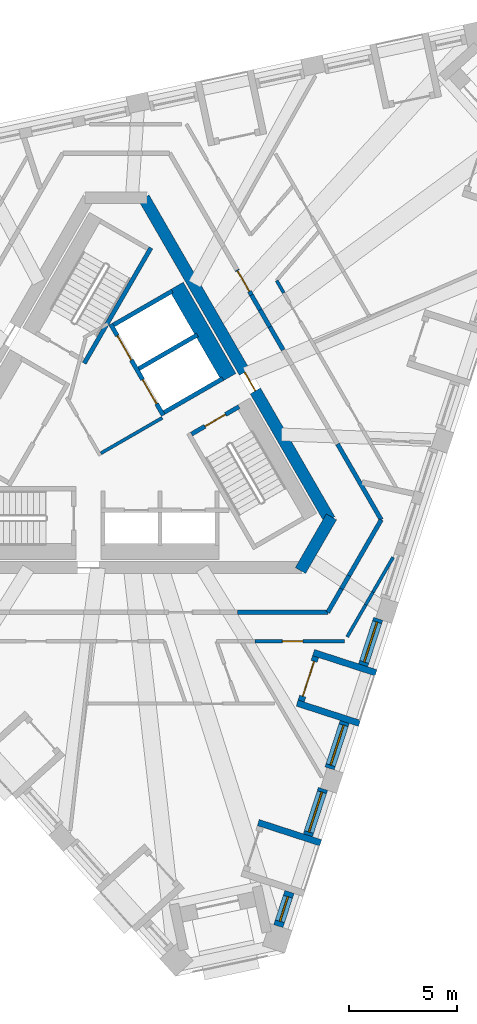
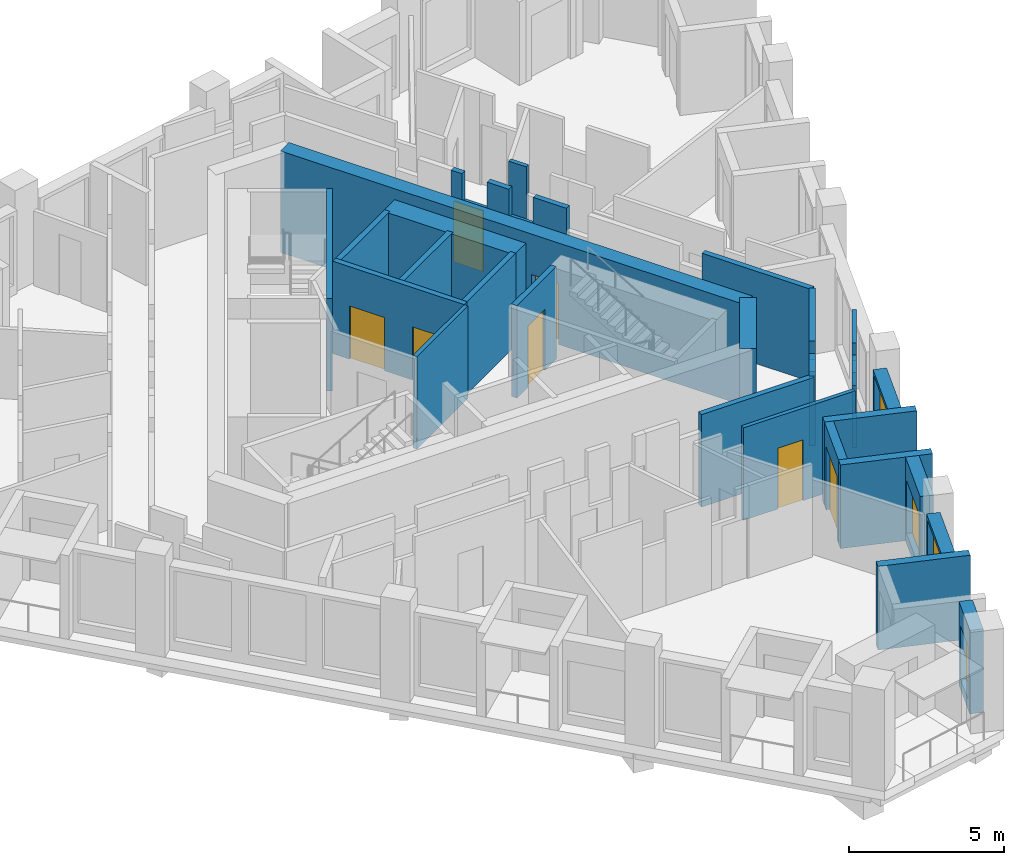
# One storey, part 5 of 13: 32 walls, 7 doors, 4 windows, 11 openings.
"""IFC4 building model written with IfcOpenShell, lengths in metres."""

from ifc_helpers import new_model, si_unit, direction, frame, frame_2d, origin, place, context, subcontext, project, spatial, polyline, rectangle, outline, extrude, material, layer, layer_set, type_object, element, fill, save


model = new_model("IFC4")

# Units and contexts
model_context = context("Model", 3, precision=1e-05, world=origin(), true_north=direction((0.0, 1.0)))
body_context = subcontext(model_context, "Body", "Model", "MODEL_VIEW")
ifc_project = project(units=[si_unit("LENGTHUNIT", "METRE"), si_unit("AREAUNIT", "SQUARE_METRE"), si_unit("VOLUMEUNIT", "CUBIC_METRE"), si_unit("PLANEANGLEUNIT", "RADIAN"), si_unit("MASSUNIT", "GRAM", prefix="KILO")], contexts=[model_context])

# Site, building, storey
site_placement = place(None, origin())
site = spatial("IfcSite", under=ifc_project, at=site_placement, CompositionType="ELEMENT")
building_placement = place(site_placement, origin())
building = spatial("IfcBuilding", under=site, at=building_placement, Name="Tramontana Tower", CompositionType="ELEMENT")
storey_placement = place(building_placement, frame((0.0, 0.0, 324.39990234375)))
storey = spatial("IfcBuildingStorey", under=building, at=storey_placement, Name="L74", CompositionType="ELEMENT", Elevation=324.39990234375)

# Wall
ifc_material_1 = material(Name="Concrete 70 MPa", Category="concrete")
ifc_layer_1 = layer(ifc_material_1, 0.550048828125)
ifc_layer_set_1 = layer_set([ifc_layer_1], Name="Core wall 550 70 MPa")
wall_type_1 = type_object("IfcWallType", Name="Core wall 550 70 MPa", PredefinedType="SHEAR", material=ifc_layer_set_1)
wall_1_placement = place(storey_placement, frame((8.56640625, -6.612548828125, 0.0), z_axis=(0.0, 0.0, 1.0), x_axis=(0.499995765644, 0.866027848477, 0.0)))
element("IfcWall", 1, at=wall_1_placement, inside=storey, type_object=wall_type_1, Name="Core wall C4 L74", PredefinedType="SHEAR", context=body_context, shape_type="SweptSolid", body=[
    extrude(rectangle(XDim=2.88671875, YDim=0.550048828125, at=frame_2d((1.443359375, 0.0))), origin(), (0.0, 0.0, 1.0), 4.0),
])

# Wall, opening, door
wall_2_placement = place(storey_placement, frame((9.930419921875, -4.25, 0.0), z_axis=(0.0, 0.0, 1.0), x_axis=(-0.499994590896, 0.86602852671, 0.0)))
wall_2 = element("IfcWall", 2, at=wall_2_placement, inside=storey, type_object=wall_type_1, Name="Core wall C5 L74", PredefinedType="SHEAR", context=body_context, shape_type="SweptSolid", body=[
    extrude(rectangle(XDim=17.291748046875, YDim=0.550048828125, at=frame_2d((8.64599609375, 0.0))), origin(), (0.0, 0.0, 1.0), 4.0),
])
opening_1_placement = place(wall_2_placement, frame((6.9208984375, 0.0, 0.0)))
opening_1 = element("IfcOpeningElement", 3, at=opening_1_placement, cuts=wall_2, Name="Opening RG3", PredefinedType="OPENING", context=body_context, shape_type="SweptSolid", body=[
    extrude(rectangle(XDim=1.0, YDim=2.39990234375, at=frame_2d((0.5, 1.199951171875))), frame((0.0, 0.284912109375, 0.0), z_axis=(0.0, -1.0, 0.0), x_axis=(1.0, 0.0, 0.0)), (0.0, 0.0, 1.0), 0.570068359375),
])
ifc_material_2 = material(Name="Painted steel", Category="steel")
door_type_1 = type_object("IfcDoorType", Name="RING DOOR 1000", OperationType="SINGLE_SWING_LEFT", PredefinedType="DOOR", material=ifc_material_2)
door_1_placement = place(opening_1_placement, origin())
door_1 = element("IfcDoor", 4, at=door_1_placement, inside=storey, type_object=door_type_1, Name="Door RG3", OperationType="SINGLE_SWING_LEFT", OverallHeight=2.39990234375, OverallWidth=1.0, PredefinedType="DOOR", context=body_context, shape_type="SweptSolid", body=[
    extrude(rectangle(XDim=1.0, YDim=2.39990234375, at=frame_2d((0.5, 1.199951171875))), frame((0.0, 0.02490234375, 0.0), z_axis=(0.0, -1.0, 0.0), x_axis=(1.0, 0.0, 0.0)), (0.0, 0.0, 1.0), 0.050048828125),
])
fill(opening_1, door_1)

# Walls
ifc_material_3 = material(Name="Blockwork", Category="masonry")
ifc_layer_2 = layer(ifc_material_3, 0.199951171875)
ifc_layer_set_2 = layer_set([ifc_layer_2], Name="ENTRY WALL 200")
wall_type_2 = type_object("IfcWallType", Name="ENTRY WALL 200", PredefinedType="SOLIDWALL", material=ifc_layer_set_2)
wall_3_placement = place(storey_placement, frame((12.326416015625, -4.25, 0.0), z_axis=(0.0, 0.0, 1.0), x_axis=(-0.500003959331, -0.866023117852, 0.0)))
element("IfcWall", 5, at=wall_3_placement, inside=storey, type_object=wall_type_2, Name="Wall v80-ew0-0", PredefinedType="SOLIDWALL", context=body_context, shape_type="SweptSolid", body=[
    extrude(rectangle(XDim=3.0029296875, YDim=0.199951171875, at=frame_2d((1.50146484375, 0.0))), origin(), (0.0, 0.0, 1.0), 3.650146484375),
])
wall_4_placement = place(storey_placement, frame((10.824951171875, -6.8505859375, 0.0), z_axis=(0.0, 0.0, 1.0), x_axis=(-0.500144223137, -0.865942120504, 0.0)))
element("IfcWall", 6, at=wall_4_placement, inside=storey, type_object=wall_type_2, Name="Wall v80-ew0-1", PredefinedType="SOLIDWALL", context=body_context, shape_type="SweptSolid", body=[
    extrude(rectangle(XDim=0.701416015625, YDim=0.199951171875, at=frame_2d((0.3505859375, 0.0))), origin(), (0.0, 0.0, 1.0), 2.9501953125),
])
wall_5_placement = place(storey_placement, frame((10.47412109375, -7.4580078125, 0.0), z_axis=(0.0, 0.0, 1.0), x_axis=(-0.499929168788, -0.866066294342, 0.0)))
element("IfcWall", 7, at=wall_5_placement, inside=storey, type_object=wall_type_2, Name="Wall v80-ew0-2", PredefinedType="SOLIDWALL", context=body_context, shape_type="SweptSolid", body=[
    extrude(rectangle(XDim=1.260986328125, YDim=0.199951171875, at=frame_2d((0.63037109375, 0.0))), origin(), (0.0, 0.0, 1.0), 3.650146484375),
])
wall_6_placement = place(storey_placement, frame((9.84375, -8.550048828125, 0.0), z_axis=(0.0, 0.0, 1.0), x_axis=(-1.0, 0.0, 0.0)))
element("IfcWall", 8, at=wall_6_placement, inside=storey, type_object=wall_type_2, Name="Wall v80-ew1-0", PredefinedType="SOLIDWALL", context=body_context, shape_type="SweptSolid", body=[
    extrude(rectangle(XDim=4.1943359375, YDim=0.199951171875, at=frame_2d((2.09716796875, 0.0))), origin(), (0.0, 0.0, 1.0), 3.650146484375),
])

# Wall, opening, door
wall_7_placement = place(storey_placement, frame((5.61767578125, 7.369873046875, 0.0), z_axis=(0.0, 0.0, 1.0), x_axis=(0.500005339912, -0.866022320763, 0.0)))
wall_7 = element("IfcWall", 9, at=wall_7_placement, inside=storey, type_object=wall_type_2, Name="Wall v80-ew5-3", PredefinedType="SOLIDWALL", context=body_context, shape_type="SweptSolid", body=[
    extrude(outline(polyline([(0.0, 0.0), (1.3447265625, 0.0), (1.3447265625, 2.550048828125), (0.40087890625, 2.550048828125), (0.40087890625, 3.650146484375), (0.0, 3.650146484375), (0.0, 0.0)])), frame((0.0, 0.10009765625, 0.0), z_axis=(0.0, -1.0, 0.0), x_axis=(1.0, 0.0, 0.0)), (0.0, 0.0, 1.0), 0.199951171875),
])
opening_2_placement = place(wall_7_placement, frame((0.050048828125, 0.0, 0.0)))
opening_2 = element("IfcOpeningElement", 10, at=opening_2_placement, cuts=wall_7, Name="Opening B8A-21", PredefinedType="OPENING", context=body_context, shape_type="SweptSolid", body=[
    extrude(rectangle(XDim=1.10009765625, YDim=2.39990234375, at=frame_2d((0.550048828125, 1.199951171875))), frame((0.0, 0.10986328125, 0.0), z_axis=(0.0, -1.0, 0.0), x_axis=(1.0, 0.0, 0.0)), (0.0, 0.0, 1.0), 0.219970703125),
])
ifc_material_4 = material(Name="Painted timber", Category="wood")
door_type_2 = type_object("IfcDoorType", Name="DOOR ENTRY 1100", OperationType="SINGLE_SWING_LEFT", PredefinedType="DOOR", material=ifc_material_4)
door_2_placement = place(opening_2_placement, origin())
door_2 = element("IfcDoor", 11, at=door_2_placement, inside=storey, type_object=door_type_2, Name="Door B8A-21", OperationType="SINGLE_SWING_LEFT", OverallHeight=2.39990234375, OverallWidth=1.10009765625, PredefinedType="DOOR", context=body_context, shape_type="SweptSolid", body=[
    extrude(rectangle(XDim=1.10009765625, YDim=2.39990234375, at=frame_2d((0.550048828125, 1.199951171875))), frame((0.0, 0.02490234375, 0.0), z_axis=(0.0, -1.0, 0.0), x_axis=(1.0, 0.0, 0.0)), (0.0, 0.0, 1.0), 0.050048828125),
])
fill(opening_2, door_2)

# Walls
wall_8_placement = place(storey_placement, frame((6.2900390625, 6.205322265625, 0.0), z_axis=(0.0, 0.0, 1.0), x_axis=(0.500045602705, -0.86599907345, 0.0)))
element("IfcWall", 12, at=wall_8_placement, inside=storey, type_object=wall_type_2, Name="Wall v80-ew5-4", PredefinedType="SOLIDWALL", context=body_context, shape_type="SweptSolid", body=[
    extrude(rectangle(XDim=0.806640625, YDim=0.199951171875, at=frame_2d((0.4033203125, 0.0))), origin(), (0.0, 0.0, 1.0), 3.650146484375),
])
wall_9_placement = place(storey_placement, frame((6.693359375, 5.5068359375, 0.0), z_axis=(0.0, 0.0, 1.0), x_axis=(0.499994660107, -0.866028486751, 0.0)))
element("IfcWall", 13, at=wall_9_placement, inside=storey, type_object=wall_type_2, Name="Wall v80-ew5-5", PredefinedType="SOLIDWALL", context=body_context, shape_type="SweptSolid", body=[
    extrude(rectangle(XDim=0.90576171875, YDim=0.199951171875, at=frame_2d((0.452880859375, 0.0))), origin(), (0.0, 0.0, 1.0), 2.550048828125),
])
wall_10_placement = place(storey_placement, frame((7.146240234375, 4.722412109375, 0.0), z_axis=(0.0, 0.0, 1.0), x_axis=(0.499955681623, -0.866050989499, 0.0)))
element("IfcWall", 14, at=wall_10_placement, inside=storey, type_object=wall_type_2, Name="Wall v80-ew5-6", PredefinedType="SOLIDWALL", context=body_context, shape_type="SweptSolid", body=[
    extrude(rectangle(XDim=1.23828125, YDim=0.199951171875, at=frame_2d((0.619140625, 0.0))), origin(), (0.0, 0.0, 1.0), 3.650146484375),
])
wall_11_placement = place(storey_placement, frame((10.29345703125, -0.72900390625, 0.0), z_axis=(0.0, 0.0, 1.0), x_axis=(0.50002046505, -0.86601358796, 0.0)))
element("IfcWall", 15, at=wall_11_placement, inside=storey, type_object=wall_type_2, Name="Wall v80-ew5-10", PredefinedType="SOLIDWALL", context=body_context, shape_type="SweptSolid", body=[
    extrude(rectangle(XDim=4.065673828125, YDim=0.199951171875, at=frame_2d((2.03271484375, 0.0))), origin(), (0.0, 0.0, 1.0), 3.650146484375),
])

# Wall, opening, window
ifc_material_5 = material(Name="Precast concrete 60 MPa", Category="concrete")
ifc_layer_3 = layer(ifc_material_5, 0.449951171875)
ifc_layer_set_3 = layer_set([ifc_layer_3], Name="Precast concrete 60 MPa, 450 mm")
wall_type_3 = type_object("IfcWallType", Name="EW1 Stone-faced precast wall 450", PredefinedType="SOLIDWALL", material=ifc_layer_set_3)
wall_12_placement = place(storey_placement, frame((7.541015625, -23.14794921875, 0.0), z_axis=(0.0, 0.0, 1.0), x_axis=(0.308944042168, 0.951080216811, 0.0)))
wall_12 = element("IfcWall", 16, at=wall_12_placement, inside=storey, type_object=wall_type_3, Name="External wall L74 face 1 bay 1", PredefinedType="SOLIDWALL", context=body_context, shape_type="SweptSolid", body=[
    extrude(rectangle(XDim=1.67138671875, YDim=0.449951171875, at=frame_2d((0.835693359375, 0.0))), origin(), (0.0, 0.0, 1.0), 3.300048828125),
])
opening_3_placement = place(wall_12_placement, frame((0.235595703125, 0.0, 0.39990234375)))
opening_3 = element("IfcOpeningElement", 17, at=opening_3_placement, cuts=wall_12, Name="Opening N3L", PredefinedType="OPENING", context=body_context, shape_type="SweptSolid", body=[
    extrude(rectangle(XDim=1.199951171875, YDim=2.10009765625, at=frame_2d((0.60009765625, 1.050048828125))), frame((0.0, 0.23486328125, 0.0), z_axis=(0.0, -1.0, 0.0), x_axis=(1.0, 0.0, 0.0)), (0.0, 0.0, 1.0), 0.469970703125),
])
ifc_material_6 = material(Name="Aluminum frame, double glazing unit", Category="aluminium")
window_type_1 = type_object("IfcWindowType", Name="N3L Window 1.2 x 2.1", PartitioningType="SINGLE_PANEL", PredefinedType="WINDOW", material=ifc_material_6)
window_1_placement = place(opening_3_placement, origin())
window_1 = element("IfcWindow", 18, at=window_1_placement, inside=storey, type_object=window_type_1, Name="Window N3L L74 face 1 module 1", OverallHeight=2.10009765625, OverallWidth=1.199951171875, PartitioningType="SINGLE_PANEL", PredefinedType="WINDOW", context=body_context, shape_type="SweptSolid", body=[
    extrude(rectangle(XDim=1.199951171875, YDim=2.10009765625, at=frame_2d((0.60009765625, 1.050048828125))), frame((0.0, 0.030029296875, 0.0), z_axis=(0.0, -1.0, 0.0), x_axis=(1.0, 0.0, 0.0)), (0.0, 0.0, 1.0), 0.06005859375),
])
fill(opening_3, window_1)

wall_13_placement = place(storey_placement, frame((8.913818359375, -18.922607421875, 0.0), z_axis=(0.0, 0.0, 1.0), x_axis=(0.309059334219, 0.951042758204, 0.0)))
wall_13 = element("IfcWall", 19, at=wall_13_placement, inside=storey, type_object=wall_type_3, Name="External wall L74 face 1 bay 1", PredefinedType="SOLIDWALL", context=body_context, shape_type="SweptSolid", body=[
    extrude(rectangle(XDim=2.27099609375, YDim=0.449951171875, at=frame_2d((1.135498046875, 0.0))), origin(), (0.0, 0.0, 1.0), 3.300048828125),
])
opening_4_placement = place(wall_13_placement, frame((0.16064453125, 0.0, 0.39990234375)))
opening_4 = element("IfcOpeningElement", 20, at=opening_4_placement, cuts=wall_13, Name="Opening M3", PredefinedType="OPENING", context=body_context, shape_type="SweptSolid", body=[
    extrude(rectangle(XDim=1.949951171875, YDim=2.75, at=frame_2d((0.97509765625, 1.375))), frame((0.0, 0.23486328125, 0.0), z_axis=(0.0, -1.0, 0.0), x_axis=(1.0, 0.0, 0.0)), (0.0, 0.0, 1.0), 0.469970703125),
])
ifc_material_7 = material(Name="Aluminum frame, double glazing unit", Category="aluminium")
window_type_2 = type_object("IfcWindowType", Name="M3 Window 1.95 x 2.75", PartitioningType="SINGLE_PANEL", PredefinedType="WINDOW", material=ifc_material_7)
window_2_placement = place(opening_4_placement, origin())
window_2 = element("IfcWindow", 21, at=window_2_placement, inside=storey, type_object=window_type_2, Name="Window M3 L74 face 1 module 3", OverallHeight=2.75, OverallWidth=1.949951171875, PartitioningType="SINGLE_PANEL", PredefinedType="WINDOW", context=body_context, shape_type="SweptSolid", body=[
    extrude(rectangle(XDim=1.949951171875, YDim=2.75, at=frame_2d((0.97509765625, 1.375))), frame((0.0, 0.030029296875, 0.0), z_axis=(0.0, -1.0, 0.0), x_axis=(1.0, 0.0, 0.0)), (0.0, 0.0, 1.0), 0.06005859375),
])
fill(opening_4, window_2)

wall_14_placement = place(storey_placement, frame((9.9248046875, -15.8115234375, 0.0), z_axis=(0.0, 0.0, 1.0), x_axis=(0.308930512416, 0.95108461164, 0.0)))
wall_14 = element("IfcWall", 22, at=wall_14_placement, inside=storey, type_object=wall_type_3, Name="External wall L74 face 1 bay 2", PredefinedType="SOLIDWALL", context=body_context, shape_type="SweptSolid", body=[
    extrude(rectangle(XDim=2.271240234375, YDim=0.449951171875, at=frame_2d((1.1357421875, 0.0))), origin(), (0.0, 0.0, 1.0), 3.300048828125),
])
opening_5_placement = place(wall_14_placement, frame((0.16064453125, 0.0, 0.39990234375)))
opening_5 = element("IfcOpeningElement", 23, at=opening_5_placement, cuts=wall_14, Name="Opening M3L", PredefinedType="OPENING", context=body_context, shape_type="SweptSolid", body=[
    extrude(rectangle(XDim=1.949951171875, YDim=2.10009765625, at=frame_2d((0.97509765625, 1.050048828125))), frame((0.0, 0.23486328125, 0.0), z_axis=(0.0, -1.0, 0.0), x_axis=(1.0, 0.0, 0.0)), (0.0, 0.0, 1.0), 0.469970703125),
])
ifc_material_8 = material(Name="Aluminum frame, double glazing unit", Category="aluminium")
window_type_3 = type_object("IfcWindowType", Name="M3L Window 1.95 x 2.1", PartitioningType="SINGLE_PANEL", PredefinedType="WINDOW", material=ifc_material_8)
window_3_placement = place(opening_5_placement, origin())
window_3 = element("IfcWindow", 24, at=window_3_placement, inside=storey, type_object=window_type_3, Name="Window M3L L74 face 1 module 4", OverallHeight=2.10009765625, OverallWidth=1.949951171875, PartitioningType="SINGLE_PANEL", PredefinedType="WINDOW", context=body_context, shape_type="SweptSolid", body=[
    extrude(rectangle(XDim=1.949951171875, YDim=2.10009765625, at=frame_2d((0.97509765625, 1.050048828125))), frame((0.0, 0.030029296875, 0.0), z_axis=(0.0, -1.0, 0.0), x_axis=(1.0, 0.0, 0.0)), (0.0, 0.0, 1.0), 0.06005859375),
])
fill(opening_5, window_3)

wall_15_placement = place(storey_placement, frame((11.48291015625, -11.015869140625, 0.0), z_axis=(0.0, 0.0, 1.0), x_axis=(0.309027740273, 0.951053024674, 0.0)))
wall_15 = element("IfcWall", 25, at=wall_15_placement, inside=storey, type_object=wall_type_3, Name="External wall L74 face 1 bay 2", PredefinedType="SOLIDWALL", context=body_context, shape_type="SweptSolid", body=[
    extrude(rectangle(XDim=2.271240234375, YDim=0.449951171875, at=frame_2d((1.1357421875, 0.0))), origin(), (0.0, 0.0, 1.0), 3.300048828125),
])
opening_6_placement = place(wall_15_placement, frame((0.16064453125, 0.0, 0.39990234375)))
opening_6 = element("IfcOpeningElement", 26, at=opening_6_placement, cuts=wall_15, Name="Opening M3", PredefinedType="OPENING", context=body_context, shape_type="SweptSolid", body=[
    extrude(rectangle(XDim=1.949951171875, YDim=2.75, at=frame_2d((0.97509765625, 1.375))), frame((0.0, 0.23486328125, 0.0), z_axis=(0.0, -1.0, 0.0), x_axis=(1.0, 0.0, 0.0)), (0.0, 0.0, 1.0), 0.469970703125),
])
window_4_placement = place(opening_6_placement, origin())
window_4 = element("IfcWindow", 27, at=window_4_placement, inside=storey, type_object=window_type_2, Name="Window M3 L74 face 1 module 6", OverallHeight=2.75, OverallWidth=1.949951171875, PartitioningType="SINGLE_PANEL", PredefinedType="WINDOW", context=body_context, shape_type="SweptSolid", body=[
    extrude(rectangle(XDim=1.949951171875, YDim=2.75, at=frame_2d((0.97509765625, 1.375))), frame((0.0, 0.030029296875, 0.0), z_axis=(0.0, -1.0, 0.0), x_axis=(1.0, 0.0, 0.0)), (0.0, 0.0, 1.0), 0.06005859375),
])
fill(opening_6, window_4)

# Wall
ifc_material_9 = material(Name="Precast concrete 60 MPa", Category="concrete")
ifc_layer_4 = layer(ifc_material_9, 0.300048828125)
ifc_layer_set_4 = layer_set([ifc_layer_4], Name="LW1 Stone-faced loggia wall 300")
wall_type_4 = type_object("IfcWallType", Name="LW1 Stone-faced loggia wall 300", PredefinedType="SOLIDWALL", material=ifc_layer_set_4)
wall_16_placement = place(storey_placement, frame((9.509521484375, -19.27392578125, 0.0), z_axis=(0.0, 0.0, 1.0), x_axis=(-0.951072883748, 0.308966615996, 0.0)))
element("IfcWall", 28, at=wall_16_placement, inside=storey, type_object=wall_type_4, Name="Loggia return L74 G8S1.1b", PredefinedType="SOLIDWALL", context=body_context, shape_type="SweptSolid", body=[
    extrude(rectangle(XDim=3.050048828125, YDim=0.300048828125, at=frame_2d((1.52490234375, 0.0))), origin(), (0.0, 0.0, 1.0), 3.300048828125),
])

# Wall, opening, door
wall_17_placement = place(storey_placement, frame((8.603271484375, -12.678466796875, 0.0), z_axis=(0.0, 0.0, 1.0), x_axis=(0.308999623589, 0.95106216023, 0.0)))
wall_17 = element("IfcWall", 29, at=wall_17_placement, inside=storey, type_object=wall_type_4, Name="Loggia wall L74 G8S1.4", PredefinedType="SOLIDWALL", context=body_context, shape_type="SweptSolid", body=[
    extrude(rectangle(XDim=2.171142578125, YDim=0.300048828125, at=frame_2d((1.08544921875, 0.0))), origin(), (0.0, 0.0, 1.0), 3.300048828125),
])
opening_7_placement = place(wall_17_placement, frame((0.235595703125, 0.0, 0.0)))
opening_7 = element("IfcOpeningElement", 30, at=opening_7_placement, cuts=wall_17, Name="Opening BD-8S1-04", PredefinedType="OPENING", context=body_context, shape_type="SweptSolid", body=[
    extrude(rectangle(XDim=1.699951171875, YDim=2.5, at=frame_2d((0.85009765625, 1.25))), frame((0.0, 0.159912109375, 0.0), z_axis=(0.0, -1.0, 0.0), x_axis=(1.0, 0.0, 0.0)), (0.0, 0.0, 1.0), 0.320068359375),
])
ifc_material_10 = material(Name="Aluminum frame, double glazing unit", Category="aluminium")
door_type_3 = type_object("IfcDoorType", Name="BD3 Sliding door 1.7 x 2.5", OperationType="SLIDING_TO_LEFT", PredefinedType="DOOR", material=ifc_material_10)
door_3_placement = place(opening_7_placement, origin())
door_3 = element("IfcDoor", 31, at=door_3_placement, inside=storey, type_object=door_type_3, Name="Loggia door L74 G8S1.4", OperationType="SLIDING_TO_LEFT", OverallHeight=2.5, OverallWidth=1.699951171875, PredefinedType="DOOR", context=body_context, shape_type="SweptSolid", body=[
    extrude(rectangle(XDim=1.699951171875, YDim=2.5, at=frame_2d((0.85009765625, 1.25))), frame((0.0, 0.02490234375, 0.0), z_axis=(0.0, -1.0, 0.0), x_axis=(1.0, 0.0, 0.0)), (0.0, 0.0, 1.0), 0.050048828125),
])
fill(opening_7, door_3)

# Walls
for number, where, z_axis, x_axis, name in (
    (32, (11.31494140625, -13.71728515625, 0.0), (0.0, 0.0, 1.0), (-0.951072883748, 0.308966615996, 0.0), "Loggia return L74 G8S1.4a"),
    (33, (12.07861328125, -11.366943359375, 0.0), (0.0, 0.0, 1.0), (-0.951072883748, 0.308966615996, 0.0), "Loggia return L74 G8S1.4b"),
):
    element("IfcWall", number, at=place(storey_placement, frame(where, z_axis=z_axis, x_axis=x_axis)), inside=storey, type_object=wall_type_4, Name=name, PredefinedType="SOLIDWALL", context=body_context, shape_type="SweptSolid", body=[
        extrude(rectangle(XDim=3.050048828125, YDim=0.300048828125, at=frame_2d((1.52490234375, 0.0))), origin(), (0.0, 0.0, 1.0), 3.300048828125),
    ])
ifc_material_11 = material(Name="Gypsum board partition")
ifc_layer_5 = layer(ifc_material_11, 0.14990234375)
ifc_layer_set_5 = layer_set([ifc_layer_5], Name="PARTITION 150")
wall_type_5 = type_object("IfcWallType", Name="PARTITION 150", PredefinedType="PARTITIONING", material=ifc_layer_set_5)
wall_18_placement = place(storey_placement, frame((-0.716796875, -1.15869140625, 0.0), z_axis=(0.0, 0.0, 1.0), x_axis=(0.866008176907, 0.50002983664, 0.0)))
element("IfcWall", 34, at=wall_18_placement, inside=storey, type_object=wall_type_5, Name="Wall ff-end0", PredefinedType="PARTITIONING", context=body_context, shape_type="SweptSolid", body=[
    extrude(rectangle(XDim=3.300048828125, YDim=0.14990234375, at=frame_2d((1.64990234375, 0.0))), origin(), (0.0, 0.0, 1.0), 3.650146484375),
])
wall_19_placement = place(storey_placement, frame((7.4619140625, 6.875732421875, 0.0), z_axis=(0.0, 0.0, 1.0), x_axis=(0.499914360624, -0.866074842056, 0.0)))
element("IfcWall", 35, at=wall_19_placement, inside=storey, type_object=wall_type_5, Name="Wall v80-pw25-0", PredefinedType="PARTITIONING", context=body_context, shape_type="SweptSolid", body=[
    extrude(rectangle(XDim=0.66064453125, YDim=0.14990234375, at=frame_2d((0.330322265625, 0.0))), origin(), (0.0, 0.0, 1.0), 3.650146484375),
])

# Wall, opening, door
wall_20_placement = place(storey_placement, frame((10.623291015625, -9.89990234375, 0.0), z_axis=(0.0, 0.0, 1.0), x_axis=(-1.0, 0.0, 0.0)))
wall_20 = element("IfcWall", 36, at=wall_20_placement, inside=storey, type_object=wall_type_5, Name="Wall v80-pw27-0", PredefinedType="PARTITIONING", context=body_context, shape_type="SweptSolid", body=[
    extrude(rectangle(XDim=4.161376953125, YDim=0.14990234375, at=frame_2d((2.08056640625, 0.0))), origin(), (0.0, 0.0, 1.0), 3.650146484375),
])
opening_8_placement = place(wall_20_placement, frame((1.94140625, 0.0, 0.0)))
opening_8 = element("IfcOpeningElement", 37, at=opening_8_placement, cuts=wall_20, Name="Opening B8A-11", PredefinedType="OPENING", context=body_context, shape_type="SweptSolid", body=[
    extrude(rectangle(XDim=0.949951171875, YDim=2.39990234375, at=frame_2d((0.47509765625, 1.199951171875))), frame((0.0, 0.0849609375, 0.0), z_axis=(0.0, -1.0, 0.0), x_axis=(1.0, 0.0, 0.0)), (0.0, 0.0, 1.0), 0.169921875),
])
ifc_material_12 = material(Name="Painted timber", Category="wood")
door_type_4 = type_object("IfcDoorType", Name="DOOR ROOM 950", OperationType="SINGLE_SWING_LEFT", PredefinedType="DOOR", material=ifc_material_12)
door_4_placement = place(opening_8_placement, origin())
door_4 = element("IfcDoor", 38, at=door_4_placement, inside=storey, type_object=door_type_4, Name="Door B8A-11", OperationType="SINGLE_SWING_LEFT", OverallHeight=2.39990234375, OverallWidth=0.949951171875, PredefinedType="DOOR", context=body_context, shape_type="SweptSolid", body=[
    extrude(rectangle(XDim=0.949951171875, YDim=2.39990234375, at=frame_2d((0.47509765625, 1.199951171875))), frame((0.0, 0.02490234375, 0.0), z_axis=(0.0, -1.0, 0.0), x_axis=(1.0, 0.0, 0.0)), (0.0, 0.0, 1.0), 0.050048828125),
])
fill(opening_8, door_4)

# Walls
wall_21_placement = place(storey_placement, frame((12.877685546875, -5.995361328125, 0.0), z_axis=(0.0, 0.0, 1.0), x_axis=(-0.500053707499, -0.865994393525, 0.0)))
element("IfcWall", 39, at=wall_21_placement, inside=storey, type_object=wall_type_5, Name="Wall v80-pw30-0", PredefinedType="PARTITIONING", context=body_context, shape_type="SweptSolid", body=[
    extrude(rectangle(XDim=1.871337890625, YDim=0.14990234375, at=frame_2d((0.935546875, 0.0))), origin(), (0.0, 0.0, 1.0), 3.650146484375),
])
wall_22_placement = place(storey_placement, frame((11.94189453125, -7.615966796875, 0.0), z_axis=(0.0, 0.0, 1.0), x_axis=(-0.499826590014, -0.866125498941, 0.0)))
element("IfcWall", 40, at=wall_22_placement, inside=storey, type_object=wall_type_5, Name="Wall v80-pw30-1", PredefinedType="PARTITIONING", context=body_context, shape_type="SweptSolid", body=[
    extrude(rectangle(XDim=0.676513671875, YDim=0.14990234375, at=frame_2d((0.33837890625, 0.0))), origin(), (0.0, 0.0, 1.0), 2.9501953125),
])
wall_23_placement = place(storey_placement, frame((11.603759765625, -8.201904296875, 0.0), z_axis=(0.0, 0.0, 1.0), x_axis=(-0.499992114976, -0.866029956157, 0.0)))
element("IfcWall", 41, at=wall_23_placement, inside=storey, type_object=wall_type_5, Name="Wall v80-pw30-2", PredefinedType="PARTITIONING", context=body_context, shape_type="SweptSolid", body=[
    extrude(rectangle(XDim=1.72412109375, YDim=0.14990234375, at=frame_2d((0.862060546875, 0.0))), origin(), (0.0, 0.0, 1.0), 3.650146484375),
])
ifc_material_13 = material(Name="Concrete 70 MPa", Category="concrete")
ifc_layer_6 = layer(ifc_material_13, 0.75)
ifc_layer_set_6 = layer_set([ifc_layer_6], Name="Concrete 70 MPa, 750 mm")
wall_type_6 = type_object("IfcWallType", Name="RC SHAFT BACK WALL 750", PredefinedType="SOLIDWALL", material=ifc_layer_set_6)
wall_24_placement = place(storey_placement, frame((5.242919921875, 2.368896484375, 0.0), z_axis=(0.0, 0.0, 1.0), x_axis=(-0.500002801628, 0.866023786258, 0.0)))
element("IfcWall", 42, at=wall_24_placement, inside=storey, type_object=wall_type_6, Name="Wall row2-back", PredefinedType="SOLIDWALL", context=body_context, shape_type="SweptSolid", body=[
    extrude(rectangle(XDim=4.89990234375, YDim=0.75, at=frame_2d((2.449951171875, 0.0))), origin(), (0.0, 0.0, 1.0), 3.650146484375),
])
ifc_material_14 = material(Name="Concrete 70 MPa", Category="concrete")
ifc_layer_7 = layer(ifc_material_14, 0.199951171875)
ifc_layer_set_7 = layer_set([ifc_layer_7], Name="Concrete 70 MPa, 200 mm")
wall_type_7 = type_object("IfcWallType", Name="RC STAIR AND SHAFT WALL 200", PredefinedType="SOLIDWALL", material=ifc_layer_set_7)
wall_25_placement = place(storey_placement, frame((1.615234375, 8.3974609375, 0.0), z_axis=(0.0, 0.0, 1.0), x_axis=(-0.500009909098, -0.866019682689, 0.0)))
element("IfcWall", 43, at=wall_25_placement, inside=storey, type_object=wall_type_7, Name="Wall st1-front", PredefinedType="SOLIDWALL", context=body_context, shape_type="SweptSolid", body=[
    extrude(rectangle(XDim=6.199951171875, YDim=0.199951171875, at=frame_2d((3.10009765625, 0.0))), origin(), (0.0, 0.0, 1.0), 3.650146484375),
])

# Wall, opening, door
wall_26_placement = place(storey_placement, frame((3.50146484375, -0.2646484375, 0.0), z_axis=(0.0, 0.0, 1.0), x_axis=(0.866030925526, 0.499990435942, 0.0)))
wall_26 = element("IfcWall", 44, at=wall_26_placement, inside=storey, type_object=wall_type_7, Name="Wall st3-near", PredefinedType="SOLIDWALL", context=body_context, shape_type="SweptSolid", body=[
    extrude(rectangle(XDim=2.5498046875, YDim=0.199951171875, at=frame_2d((1.27490234375, 0.0))), origin(), (0.0, 0.0, 1.0), 3.650146484375),
])
opening_9_placement = place(wall_26_placement, frame((0.72509765625, 0.0, 0.0)))
opening_9 = element("IfcOpeningElement", 45, at=opening_9_placement, cuts=wall_26, Name="Opening SD3", PredefinedType="OPENING", context=body_context, shape_type="SweptSolid", body=[
    extrude(rectangle(XDim=1.10009765625, YDim=2.39990234375, at=frame_2d((0.550048828125, 1.199951171875))), frame((0.0, 0.10986328125, 0.0), z_axis=(0.0, -1.0, 0.0), x_axis=(1.0, 0.0, 0.0)), (0.0, 0.0, 1.0), 0.219970703125),
])
ifc_material_15 = material(Name="Painted steel", Category="steel")
door_type_5 = type_object("IfcDoorType", Name="STAIR DOOR 1100", OperationType="SINGLE_SWING_LEFT", PredefinedType="DOOR", material=ifc_material_15)
door_5_placement = place(opening_9_placement, origin())
door_5 = element("IfcDoor", 46, at=door_5_placement, inside=storey, type_object=door_type_5, Name="Door SD3", OperationType="SINGLE_SWING_RIGHT", OverallHeight=2.39990234375, OverallWidth=1.10009765625, PredefinedType="DOOR", context=body_context, shape_type="SweptSolid", body=[
    extrude(rectangle(XDim=1.10009765625, YDim=2.39990234375, at=frame_2d((0.550048828125, 1.199951171875))), frame((0.0, 0.02490234375, 0.0), z_axis=(0.0, -1.0, 0.0), x_axis=(1.0, 0.0, 0.0)), (0.0, 0.0, 1.0), 0.050048828125),
])
fill(opening_9, door_5)

# Wall, openings, doors
wall_27_placement = place(storey_placement, frame((2.190185546875, 0.6064453125, 0.0), z_axis=(0.0, 0.0, 1.0), x_axis=(-0.500002801628, 0.866023786258, 0.0)))
wall_27 = element("IfcWall", 47, at=wall_27_placement, inside=storey, type_object=wall_type_7, Name="Wall row2-front", PredefinedType="SOLIDWALL", context=body_context, shape_type="SweptSolid", body=[
    extrude(rectangle(XDim=4.89990234375, YDim=0.199951171875, at=frame_2d((2.449951171875, 0.0))), origin(), (0.0, 0.0, 1.0), 3.650146484375),
])
opening_10_placement = place(wall_27_placement, frame((0.625, 0.0, 0.0)))
opening_10 = element("IfcOpeningElement", 48, at=opening_10_placement, cuts=wall_27, Name="Opening LD-F1", PredefinedType="OPENING", context=body_context, shape_type="SweptSolid", body=[
    extrude(rectangle(XDim=1.300048828125, YDim=2.10009765625, at=frame_2d((0.64990234375, 1.050048828125))), frame((0.0, 0.10986328125, 0.0), z_axis=(0.0, -1.0, 0.0), x_axis=(1.0, 0.0, 0.0)), (0.0, 0.0, 1.0), 0.219970703125),
])
opening_11_placement = place(wall_27_placement, frame((2.97509765625, 0.0, 0.0)))
opening_11 = element("IfcOpeningElement", 49, at=opening_11_placement, cuts=wall_27, Name="Opening LD-F2", PredefinedType="OPENING", context=body_context, shape_type="SweptSolid", body=[
    extrude(rectangle(XDim=1.300048828125, YDim=2.10009765625, at=frame_2d((0.64990234375, 1.050048828125))), frame((0.0, 0.10986328125, 0.0), z_axis=(0.0, -1.0, 0.0), x_axis=(1.0, 0.0, 0.0)), (0.0, 0.0, 1.0), 0.219970703125),
])
ifc_material_16 = material(Name="Brushed steel", Category="steel")
door_type_6 = type_object("IfcDoorType", Name="LANDING DOOR 1300", OperationType="SINGLE_SWING_LEFT", PredefinedType="DOOR", material=ifc_material_16)
door_6_placement = place(opening_10_placement, origin())
door_6 = element("IfcDoor", 50, at=door_6_placement, inside=storey, type_object=door_type_6, Name="Door LD-F1", OperationType="SLIDING_TO_RIGHT", OverallHeight=2.10009765625, OverallWidth=1.300048828125, PredefinedType="DOOR", context=body_context, shape_type="SweptSolid", body=[
    extrude(rectangle(XDim=1.300048828125, YDim=2.10009765625, at=frame_2d((0.64990234375, 1.050048828125))), frame((0.0, 0.02490234375, 0.0), z_axis=(0.0, -1.0, 0.0), x_axis=(1.0, 0.0, 0.0)), (0.0, 0.0, 1.0), 0.050048828125),
])
fill(opening_10, door_6)
door_7_placement = place(opening_11_placement, origin())
door_7 = element("IfcDoor", 51, at=door_7_placement, inside=storey, type_object=door_type_6, Name="Door LD-F2", OperationType="SLIDING_TO_LEFT", OverallHeight=2.10009765625, OverallWidth=1.300048828125, PredefinedType="DOOR", context=body_context, shape_type="SweptSolid", body=[
    extrude(rectangle(XDim=1.300048828125, YDim=2.10009765625, at=frame_2d((0.64990234375, 1.050048828125))), frame((0.0, 0.02490234375, 0.0), z_axis=(0.0, -1.0, 0.0), x_axis=(1.0, 0.0, 0.0)), (0.0, 0.0, 1.0), 0.050048828125),
])
fill(opening_11, door_7)

# Walls
for number, where, z_axis, x_axis, name in (
    (52, (2.226806640625, 0.742919921875, 0.0), (0.0, 0.0, 1.0), (0.866035871367, 0.499981869177, 0.0), "Wall row2-side0"),
    (53, (1.0517578125, 2.778076171875, 0.0), (0.0, 0.0, 1.0), (0.866035871367, 0.499981869177, 0.0), "Wall row2-side1"),
    (54, (-0.123046875, 4.813232421875, 0.0), (0.0, 0.0, 1.0), (0.866016494683, 0.500015430699, 0.0), "Wall row2-side2"),
):
    element("IfcWall", number, at=place(storey_placement, frame(where, z_axis=z_axis, x_axis=x_axis)), inside=storey, type_object=wall_type_7, Name=name, PredefinedType="SOLIDWALL", context=body_context, shape_type="SweptSolid", body=[
        extrude(rectangle(XDim=3.14990234375, YDim=0.199951171875, at=frame_2d((1.574951171875, 0.0))), origin(), (0.0, 0.0, 1.0), 3.650146484375),
    ])

save(model, "model.ifc")
